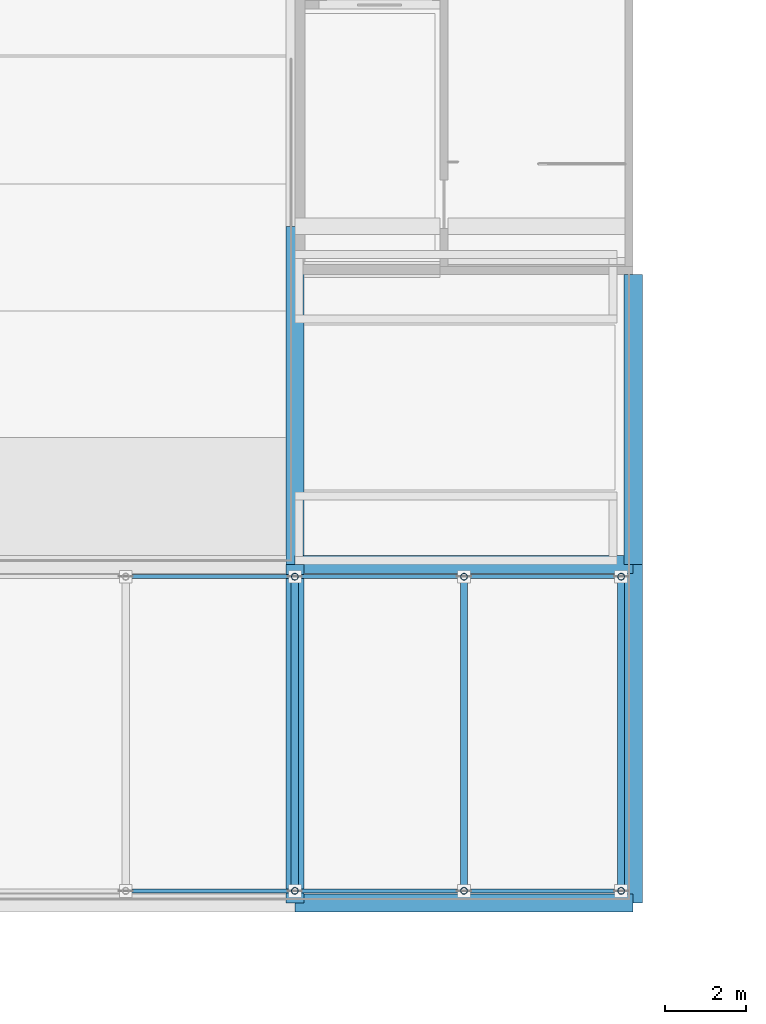
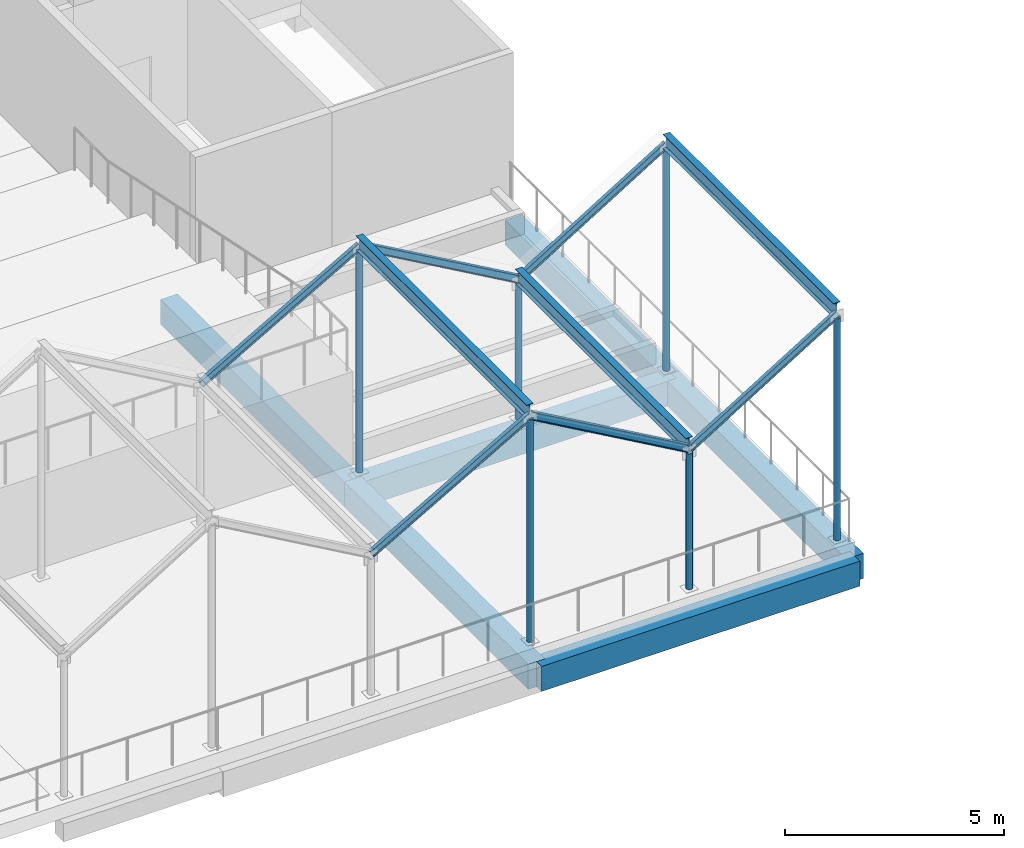
# One storey, part 8 of 67: 15 beams, 6 members.
"""IFC4 building model written with IfcOpenShell, lengths in metres."""

from ifc_helpers import new_model, si_unit, direction, frame, origin, origin_2d, place, context, subcontext, project, spatial, rectangle, hollow_circle, i_section, extrude, material, material_profile, profile_set, type_object, element, save


model = new_model("IFC4")

# Units and contexts
model_context = context("Model", 3, precision=1e-05, world=origin(), true_north=direction((0.0, 1.0)))
body_context = subcontext(model_context, "Body", "Model", "MODEL_VIEW")
ifc_project = project(units=[si_unit("LENGTHUNIT", "METRE"), si_unit("AREAUNIT", "SQUARE_METRE"), si_unit("VOLUMEUNIT", "CUBIC_METRE"), si_unit("PLANEANGLEUNIT", "RADIAN"), si_unit("MASSUNIT", "GRAM", prefix="KILO")], contexts=[model_context])

# Site, building, storey
site_placement = place(None, origin())
site = spatial("IfcSite", under=ifc_project, at=site_placement, CompositionType="ELEMENT")
building_placement = place(site_placement, origin())
building = spatial("IfcBuilding", under=site, at=building_placement, Name="Kiln Court Media Centre", CompositionType="ELEMENT")
storey_placement = place(building_placement, frame((0.0, 0.0, 19.800048828125)))
storey = spatial("IfcBuildingStorey", under=building, at=storey_placement, Name="L04", CompositionType="ELEMENT", Elevation=19.800048828125)

# Beams
ifc_material_1 = material(Name="Concrete C30/37", Category="concrete")
ifc_material_profile_1 = material_profile(ifc_material_1, rectangle(XDim=0.449951171875, YDim=0.699951171875, at=origin_2d()), Name="RC 450x700")
ifc_profile_set_1 = profile_set([ifc_material_profile_1], Name="Concrete C30/37")
beam_type_1 = type_object("IfcBeamType", Name="Concrete C30/37 beam 450x700", PredefinedType="BEAM", material=ifc_profile_set_1)
beam_1_placement = place(storey_placement, frame((50.39990234375, 0.0, -0.75), z_axis=(0.0, 1.0, 0.0), x_axis=(-1.0, 0.0, 0.0)))
element("IfcBeam", 1, at=beam_1_placement, inside=storey, type_object=beam_type_1, Name="L04-B-1041", PredefinedType="BEAM", context=body_context, shape_type="SweptSolid", body=[
    extrude(rectangle(XDim=0.449951171875, YDim=0.699951171875, at=origin_2d()), origin(), (0.0, 0.0, 1.0), 8.39990234375),
])
beam_2_placement = place(storey_placement, frame((50.39990234375, 8.39990234375, -0.75), z_axis=(0.0, 1.0, 0.0), x_axis=(-1.0, 0.0, 0.0)))
element("IfcBeam", 2, at=beam_2_placement, inside=storey, type_object=beam_type_1, Name="L04-B-1042", PredefinedType="BEAM", context=body_context, shape_type="SweptSolid", body=[
    extrude(rectangle(XDim=0.449951171875, YDim=0.699951171875, at=origin_2d()), origin(), (0.0, 0.0, 1.0), 8.400146484375),
])
beam_3_placement = place(storey_placement, frame((58.800048828125, 0.0, -0.75), z_axis=(0.0, 1.0, 0.0), x_axis=(-1.0, 0.0, 0.0)))
element("IfcBeam", 3, at=beam_3_placement, inside=storey, type_object=beam_type_1, Name="L04-B-1044", PredefinedType="BEAM", context=body_context, shape_type="SweptSolid", body=[
    extrude(rectangle(XDim=0.449951171875, YDim=0.699951171875, at=origin_2d()), origin(), (0.0, 0.0, 1.0), 8.39990234375),
])
beam_4_placement = place(storey_placement, frame((58.800048828125, 8.39990234375, -0.75), z_axis=(0.0, 1.0, 0.0), x_axis=(-1.0, 0.0, 0.0)))
element("IfcBeam", 4, at=beam_4_placement, inside=storey, type_object=beam_type_1, Name="L04-B-1045", PredefinedType="BEAM", context=body_context, shape_type="SweptSolid", body=[
    extrude(rectangle(XDim=0.449951171875, YDim=0.699951171875, at=origin_2d()), origin(), (0.0, 0.0, 1.0), 7.2001953125),
])
for number, where, z_axis, x_axis, name in (
    (5, (50.39990234375, 0.0, -0.75), (1.0, 0.0, 0.0), (0.0, 1.0, 0.0), "L04-B-1048"),
    (6, (50.39990234375, 8.39990234375, -0.75), (1.0, 0.0, 0.0), (0.0, 1.0, 0.0), "L04-B-1051"),
):
    element("IfcBeam", number, at=place(storey_placement, frame(where, z_axis=z_axis, x_axis=x_axis)), inside=storey, type_object=beam_type_1, Name=name, PredefinedType="BEAM", context=body_context, shape_type="SweptSolid", body=[
        extrude(rectangle(XDim=0.449951171875, YDim=0.699951171875, at=origin_2d()), origin(), (0.0, 0.0, 1.0), 8.400146484375),
    ])

# Members
ifc_material_2 = material(Name="Steel ASTM A500 Gr C", Category="steel")
ifc_material_profile_2 = material_profile(ifc_material_2, hollow_circle(Radius=0.084228515625, WallThickness=0.00634765625, at=origin_2d()), Name="CHS 168.3x6.3")
ifc_profile_set_2 = profile_set([ifc_material_profile_2], Name="Steel ASTM A500 Gr C")
member_type = type_object("IfcMemberType", Name="Steel ASTM A500 Gr C CHS 168.3x6.3 pavilion roof column", PredefinedType="STRUT", material=ifc_profile_set_2)
for number, where, z_axis, x_axis, name in (
    (7, (50.39990234375, 0.300048828125, 0.008056640625), (0.0, 0.0, 1.0), (1.0, 0.0, 0.0), "pavilion roof column 4 pavilion roof column"),
    (8, (50.39990234375, 8.10009765625, 0.008056640625), (0.0, 0.0, 1.0), (1.0, 0.0, 0.0), "pavilion roof column 4 pavilion roof column"),
):
    element("IfcMember", number, at=place(storey_placement, frame(where, z_axis=z_axis, x_axis=x_axis)), inside=storey, type_object=member_type, Name=name, PredefinedType="STRUT", context=body_context, shape_type="SweptSolid", body=[
        extrude(hollow_circle(Radius=0.084228515625, WallThickness=0.00634765625, at=origin_2d()), origin(), (0.0, 0.0, 1.0), 6.19189453125),
    ])
for number, where, z_axis, x_axis, name in (
    (9, (54.60009765625, 0.300048828125, 0.008056640625), (0.0, 0.0, 1.0), (1.0, 0.0, 0.0), "pavilion roof column 5 pavilion roof column"),
    (10, (54.60009765625, 8.10009765625, 0.008056640625), (0.0, 0.0, 1.0), (1.0, 0.0, 0.0), "pavilion roof column 5 pavilion roof column"),
):
    element("IfcMember", number, at=place(storey_placement, frame(where, z_axis=z_axis, x_axis=x_axis)), inside=storey, type_object=member_type, Name=name, PredefinedType="STRUT", context=body_context, shape_type="SweptSolid", body=[
        extrude(hollow_circle(Radius=0.084228515625, WallThickness=0.00634765625, at=origin_2d()), origin(), (0.0, 0.0, 1.0), 3.7919921875),
    ])
for number, where, z_axis, x_axis, name in (
    (11, (58.5, 0.300048828125, 0.008056640625), (0.0, 0.0, 1.0), (1.0, 0.0, 0.0), "pavilion roof column 6 pavilion roof column"),
    (12, (58.5, 8.10009765625, 0.008056640625), (0.0, 0.0, 1.0), (1.0, 0.0, 0.0), "pavilion roof column 6 pavilion roof column"),
):
    element("IfcMember", number, at=place(storey_placement, frame(where, z_axis=z_axis, x_axis=x_axis)), inside=storey, type_object=member_type, Name=name, PredefinedType="STRUT", context=body_context, shape_type="SweptSolid", body=[
        extrude(hollow_circle(Radius=0.084228515625, WallThickness=0.00634765625, at=origin_2d()), origin(), (0.0, 0.0, 1.0), 6.19189453125),
    ])

# Beams
ifc_material_3 = material(Name="Steel ASTM A572 Gr 50", Category="steel")
ifc_material_profile_3 = material_profile(ifc_material_3, i_section(OverallWidth=0.10009765625, OverallDepth=0.199951171875, WebThickness=0.005615234375, FlangeThickness=0.008544921875, FilletRadius=0.011962890625, at=origin_2d()), Name="IPE 200")
ifc_profile_set_3 = profile_set([ifc_material_profile_3], Name="Steel ASTM A572 Gr 50")
beam_type_2 = type_object("IfcBeamType", Name="Steel ASTM A572 Gr 50 IPE 200 pavilion roof beam", PredefinedType="BEAM", material=ifc_profile_set_3)
beam_5_placement = place(storey_placement, frame((46.199951171875, 0.300048828125, 3.89990234375), z_axis=(0.868227612608, 0.0, 0.496166114024), x_axis=(0.0, 1.0, 0.0)))
element("IfcBeam", 13, at=beam_5_placement, inside=storey, type_object=beam_type_2, Name="pavilion eaves tie pavilion roof beam", PredefinedType="BEAM", context=body_context, shape_type="SweptSolid", body=[
    extrude(i_section(OverallWidth=0.10009765625, OverallDepth=0.199951171875, WebThickness=0.005615234375, FlangeThickness=0.008544921875, FilletRadius=0.011962890625, at=origin_2d()), origin(), (0.0, 0.0, 1.0), 4.83740234375),
])
beam_6_placement = place(storey_placement, frame((50.39990234375, 0.300048828125, 6.300048828125), z_axis=(0.868240036425, 0.0, -0.496144373291), x_axis=(0.0, 1.0, 0.0)))
element("IfcBeam", 14, at=beam_6_placement, inside=storey, type_object=beam_type_2, Name="pavilion eaves tie pavilion roof beam", PredefinedType="BEAM", context=body_context, shape_type="SweptSolid", body=[
    extrude(i_section(OverallWidth=0.10009765625, OverallDepth=0.199951171875, WebThickness=0.005615234375, FlangeThickness=0.008544921875, FilletRadius=0.011962890625, at=origin_2d()), origin(), (0.0, 0.0, 1.0), 4.837646484375),
])
beam_7_placement = place(storey_placement, frame((54.60009765625, 0.300048828125, 3.89990234375), z_axis=(0.851638180308, 0.0, 0.5241301459), x_axis=(0.0, 1.0, 0.0)))
element("IfcBeam", 15, at=beam_7_placement, inside=storey, type_object=beam_type_2, Name="pavilion eaves tie pavilion roof beam", PredefinedType="BEAM", context=body_context, shape_type="SweptSolid", body=[
    extrude(i_section(OverallWidth=0.10009765625, OverallDepth=0.199951171875, WebThickness=0.005615234375, FlangeThickness=0.008544921875, FilletRadius=0.011962890625, at=origin_2d()), origin(), (0.0, 0.0, 1.0), 4.579345703125),
])
beam_8_placement = place(storey_placement, frame((46.199951171875, 8.10009765625, 3.89990234375), z_axis=(0.868227612608, 0.0, 0.496166114024), x_axis=(0.0, 1.0, 0.0)))
element("IfcBeam", 16, at=beam_8_placement, inside=storey, type_object=beam_type_2, Name="pavilion eaves tie pavilion roof beam", PredefinedType="BEAM", context=body_context, shape_type="SweptSolid", body=[
    extrude(i_section(OverallWidth=0.10009765625, OverallDepth=0.199951171875, WebThickness=0.005615234375, FlangeThickness=0.008544921875, FilletRadius=0.011962890625, at=origin_2d()), origin(), (0.0, 0.0, 1.0), 4.83740234375),
])
beam_9_placement = place(storey_placement, frame((50.39990234375, 8.10009765625, 6.300048828125), z_axis=(0.868240036425, 0.0, -0.496144373291), x_axis=(0.0, 1.0, 0.0)))
element("IfcBeam", 17, at=beam_9_placement, inside=storey, type_object=beam_type_2, Name="pavilion eaves tie pavilion roof beam", PredefinedType="BEAM", context=body_context, shape_type="SweptSolid", body=[
    extrude(i_section(OverallWidth=0.10009765625, OverallDepth=0.199951171875, WebThickness=0.005615234375, FlangeThickness=0.008544921875, FilletRadius=0.011962890625, at=origin_2d()), origin(), (0.0, 0.0, 1.0), 4.837646484375),
])
beam_10_placement = place(storey_placement, frame((54.60009765625, 8.10009765625, 3.89990234375), z_axis=(0.851638180308, 0.0, 0.5241301459), x_axis=(0.0, 1.0, 0.0)))
element("IfcBeam", 18, at=beam_10_placement, inside=storey, type_object=beam_type_2, Name="pavilion eaves tie pavilion roof beam", PredefinedType="BEAM", context=body_context, shape_type="SweptSolid", body=[
    extrude(i_section(OverallWidth=0.10009765625, OverallDepth=0.199951171875, WebThickness=0.005615234375, FlangeThickness=0.008544921875, FilletRadius=0.011962890625, at=origin_2d()), origin(), (0.0, 0.0, 1.0), 4.579345703125),
])
ifc_material_4 = material(Name="Steel ASTM A572 Gr 50", Category="steel")
ifc_material_profile_4 = material_profile(ifc_material_4, i_section(OverallWidth=0.179931640625, OverallDepth=0.39990234375, WebThickness=0.008544921875, FlangeThickness=0.013427734375, FilletRadius=0.02099609375, at=origin_2d()), Name="IPE 400")
ifc_profile_set_4 = profile_set([ifc_material_profile_4], Name="Steel ASTM A572 Gr 50")
beam_type_3 = type_object("IfcBeamType", Name="Steel ASTM A572 Gr 50 IPE 400 pavilion roof beam", PredefinedType="BEAM", material=ifc_profile_set_4)
for number, where, z_axis, x_axis, name in (
    (19, (50.39990234375, 0.300048828125, 6.39990234375), (0.0, 1.0, 0.0), (-1.0, 0.0, 0.0), "pavilion fold beam 4 pavilion roof beam"),
    (20, (54.60009765625, 0.300048828125, 4.0), (0.0, 1.0, 0.0), (-1.0, 0.0, 0.0), "pavilion fold beam 5 pavilion roof beam"),
    (21, (58.5, 0.300048828125, 6.39990234375), (0.0, 1.0, 0.0), (-1.0, 0.0, 0.0), "pavilion fold beam 6 pavilion roof beam"),
):
    element("IfcBeam", number, at=place(storey_placement, frame(where, z_axis=z_axis, x_axis=x_axis)), inside=storey, type_object=beam_type_3, Name=name, PredefinedType="BEAM", context=body_context, shape_type="SweptSolid", body=[
        extrude(i_section(OverallWidth=0.179931640625, OverallDepth=0.39990234375, WebThickness=0.008544921875, FlangeThickness=0.013427734375, FilletRadius=0.02099609375, at=origin_2d()), origin(), (0.0, 0.0, 1.0), 7.800048828125),
    ])

save(model, "model.ifc")
